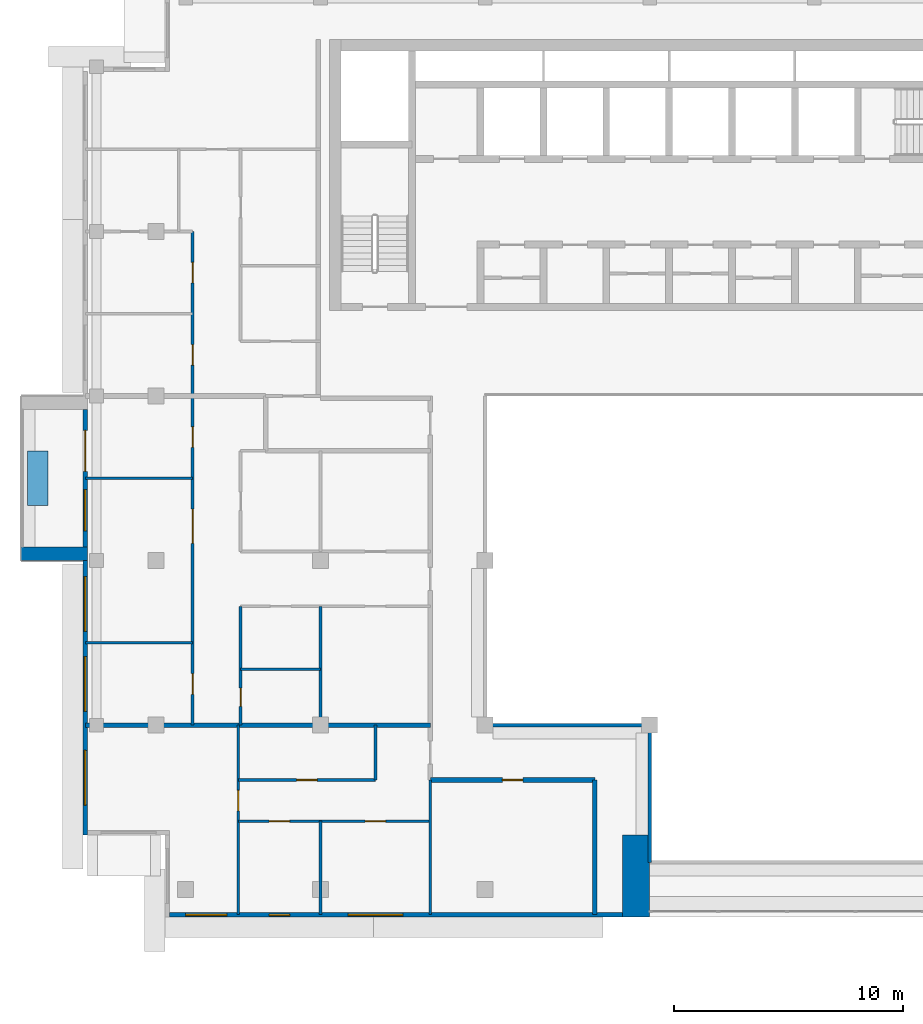
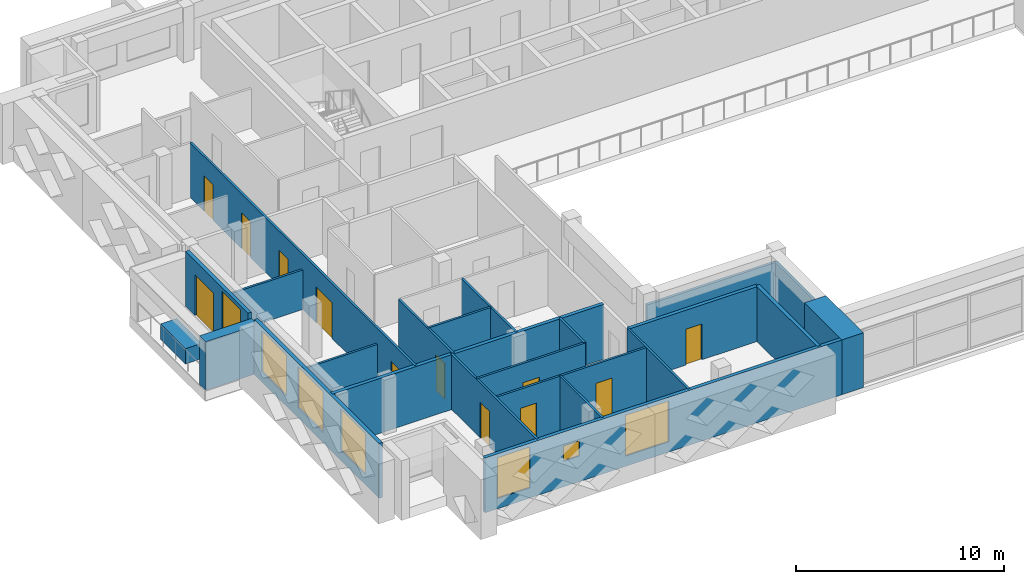
# One storey, part 6 of 19: 23 walls, 12 doors, 7 windows, 19 openings.
"""IFC4 building model written with IfcOpenShell, lengths in metres."""

from ifc_helpers import new_model, si_unit, direction, frame, frame_2d, origin, place, context, subcontext, project, spatial, rectangle, extrude, material, layer, layer_set, type_object, element, fill, save


model = new_model("IFC4")

# Units and contexts
model_context = context("Model", 3, precision=1e-05, world=origin(), true_north=direction((0.0, 1.0)))
body_context = subcontext(model_context, "Body", "Model", "MODEL_VIEW")
ifc_project = project(units=[si_unit("LENGTHUNIT", "METRE"), si_unit("AREAUNIT", "SQUARE_METRE"), si_unit("VOLUMEUNIT", "CUBIC_METRE"), si_unit("PLANEANGLEUNIT", "RADIAN"), si_unit("MASSUNIT", "GRAM", prefix="KILO")], contexts=[model_context])

# Site, building, storey
site_placement = place(None, origin())
site = spatial("IfcSite", under=ifc_project, at=site_placement, CompositionType="ELEMENT")
building_placement = place(site_placement, origin())
building = spatial("IfcBuilding", under=site, at=building_placement, Name="Saffron Iwan Residences", CompositionType="ELEMENT")
storey_placement = place(building_placement, frame((0.0, 0.0, 264.0)))
storey = spatial("IfcBuildingStorey", under=building, at=storey_placement, Name="L71", CompositionType="ELEMENT", Elevation=264.0)

# Walls
ifc_material_1 = material(Name="Fire-rated glazing", Category="glass")
ifc_layer_1 = layer(ifc_material_1, 0.14990234375)
ifc_layer_set_1 = layer_set([ifc_layer_1], Name="Fire-rated glazing")
wall_type_1 = type_object("IfcWallType", Name="Atrium glazed screen 150", PredefinedType="SOLIDWALL", material=ifc_layer_set_1)
wall_1_placement = place(storey_placement, frame((36.0, 48.0, 0.0), z_axis=(0.0, 0.0, 1.0), x_axis=(1.0, 0.0, 0.0)))
element("IfcWall", 1, at=wall_1_placement, inside=storey, type_object=wall_type_1, Name="W-L71-SCREEN-h48-36", PredefinedType="SOLIDWALL", context=body_context, shape_type="SweptSolid", body=[
    extrude(rectangle(XDim=7.199951171875, YDim=0.14990234375, at=frame_2d((3.60009765625, 0.0))), origin(), (0.0, 0.0, 1.0), 2.320068359375),
])
wall_2_placement = place(storey_placement, frame((43.199951171875, 42.0, 0.0), z_axis=(0.0, 0.0, 1.0), x_axis=(0.0, 1.0, 0.0)))
element("IfcWall", 2, at=wall_2_placement, inside=storey, type_object=wall_type_1, Name="W-L71-SCREEN-v43.2-42", PredefinedType="SOLIDWALL", context=body_context, shape_type="SweptSolid", body=[
    extrude(rectangle(XDim=6.0, YDim=0.14990234375, at=frame_2d((3.0, 0.0))), origin(), (0.0, 0.0, 1.0), 2.320068359375),
])
ifc_material_2 = material(Name="Concrete C50/60 white painted", Category="concrete")
ifc_layer_2 = layer(ifc_material_2, 0.60009765625)
ifc_layer_set_2 = layer_set([ifc_layer_2], Name="Concrete C50/60 white painted")
wall_type_2 = type_object("IfcWallType", Name="BALCONY FIN 600", PredefinedType="SOLIDWALL", material=ifc_layer_set_2)
wall_3_placement = place(storey_placement, frame((18.60009765625, 55.5, 0.0), z_axis=(0.0, 0.0, 1.0), x_axis=(-1.0, 0.0, 0.0)))
element("IfcWall", 3, at=wall_3_placement, inside=storey, type_object=wall_type_2, Name="Balcony fin L71 F8-0b", PredefinedType="SOLIDWALL", context=body_context, shape_type="SweptSolid", body=[
    extrude(rectangle(XDim=2.900146484375, YDim=0.60009765625, at=frame_2d((1.4501953125, 0.0))), origin(), (0.0, 0.0, 1.0), 2.85009765625),
])
ifc_material_3 = material(Name="Concrete C35/45 white painted", Category="concrete")
ifc_layer_3 = layer(ifc_material_3, 0.14990234375)
ifc_layer_set_3 = layer_set([ifc_layer_3], Name="Concrete C35/45 white painted")
wall_type_3 = type_object("IfcWallType", Name="BALCONY PLANTER", PredefinedType="SOLIDWALL", material=ifc_layer_set_3)
wall_4_placement = place(storey_placement, frame((16.425048828125, 60.0, 0.0), z_axis=(0.0, 0.0, 1.0), x_axis=(0.0, -1.0, 0.0)))
element("IfcWall", 4, at=wall_4_placement, inside=storey, type_object=wall_type_3, Name="PLANTER L71 F8-0", PredefinedType="SOLIDWALL", context=body_context, shape_type="SweptSolid", body=[
    extrude(rectangle(XDim=2.39990234375, YDim=0.89990234375, at=frame_2d((1.199951171875, 0.0))), origin(), (0.0, 0.0, 1.0), 0.89990234375),
])

# Wall, openings, door, window
ifc_material_4 = material(Name="Concrete C40/50", Category="concrete")
ifc_layer_4 = layer(ifc_material_4, 0.199951171875)
ifc_layer_set_4 = layer_set([ifc_layer_4], Name="Concrete C40/50")
wall_type_4 = type_object("IfcWallType", Name="EXTERNAL WALL 200", PredefinedType="SOLIDWALL", material=ifc_layer_set_4)
wall_5_placement = place(storey_placement, frame((18.5, 61.800048828125, 0.0), z_axis=(0.0, 0.0, 1.0), x_axis=(0.0, -1.0, 0.0)))
wall_5 = element("IfcWall", 5, at=wall_5_placement, inside=storey, type_object=wall_type_4, Name="External wall L71 F8.1", PredefinedType="SOLIDWALL", context=body_context, shape_type="SweptSolid", body=[
    extrude(rectangle(XDim=6.0, YDim=0.199951171875, at=frame_2d((3.0, 0.0))), origin(), (0.0, 0.0, 1.0), 3.219970703125),
])
opening_1_placement = place(wall_5_placement, frame((0.89990234375, 0.0, 0.0)))
opening_1 = element("IfcOpeningElement", 6, at=opening_1_placement, cuts=wall_5, Name="Opening BD1", PredefinedType="OPENING", context=body_context, shape_type="SweptSolid", body=[
    extrude(rectangle(XDim=1.800048828125, YDim=2.39990234375, at=frame_2d((0.89990234375, 1.199951171875))), frame((0.0, 0.10986328125, 0.0), z_axis=(0.0, -1.0, 0.0), x_axis=(1.0, 0.0, 0.0)), (0.0, 0.0, 1.0), 0.219970703125),
])
opening_2_placement = place(wall_5_placement, frame((3.5, 0.0, 0.60009765625)))
opening_2 = element("IfcOpeningElement", 7, at=opening_2_placement, cuts=wall_5, Name="Opening W8", PredefinedType="OPENING", context=body_context, shape_type="SweptSolid", body=[
    extrude(rectangle(XDim=1.800048828125, YDim=2.39990234375, at=frame_2d((0.89990234375, 1.199951171875))), frame((0.0, 0.10986328125, 0.0), z_axis=(0.0, -1.0, 0.0), x_axis=(1.0, 0.0, 0.0)), (0.0, 0.0, 1.0), 0.219970703125),
])
ifc_material_5 = material(Name="Clear glass, laminated double glazed", Category="glass")
door_type_1 = type_object("IfcDoorType", Name="BALCONY DOOR 1800 x 2400", OperationType="DOUBLE_DOOR_SLIDING", PredefinedType="DOOR", material=ifc_material_5)
door_1_placement = place(opening_1_placement, origin())
door_1 = element("IfcDoor", 8, at=door_1_placement, inside=storey, type_object=door_type_1, Name="Balcony door L71 F8.0", OperationType="DOUBLE_DOOR_SLIDING", OverallHeight=2.39990234375, OverallWidth=1.800048828125, PredefinedType="DOOR", context=body_context, shape_type="SweptSolid", body=[
    extrude(rectangle(XDim=1.800048828125, YDim=2.39990234375, at=frame_2d((0.89990234375, 1.199951171875))), frame((0.0, 0.02490234375, 0.0), z_axis=(0.0, -1.0, 0.0), x_axis=(1.0, 0.0, 0.0)), (0.0, 0.0, 1.0), 0.050048828125),
])
fill(opening_1, door_1)
window_type_1 = type_object("IfcWindowType", Name="WINDOW 1800 x 2400", PartitioningType="DOUBLE_PANEL_VERTICAL", PredefinedType="WINDOW", material=ifc_material_5)
window_1_placement = place(opening_2_placement, origin())
window_1 = element("IfcWindow", 9, at=window_1_placement, inside=storey, type_object=window_type_1, Name="Window L71 F8.1", OverallHeight=2.39990234375, OverallWidth=1.800048828125, PartitioningType="DOUBLE_PANEL_VERTICAL", PredefinedType="WINDOW", context=body_context, shape_type="SweptSolid", body=[
    extrude(rectangle(XDim=1.800048828125, YDim=2.39990234375, at=frame_2d((0.89990234375, 1.199951171875))), frame((0.0, 0.030029296875, 0.0), z_axis=(0.0, -1.0, 0.0), x_axis=(1.0, 0.0, 0.0)), (0.0, 0.0, 1.0), 0.06005859375),
])
fill(opening_2, window_1)

# Wall, openings, windows
wall_6_placement = place(storey_placement, frame((18.5, 55.199951171875, 0.0), z_axis=(0.0, 0.0, 1.0), x_axis=(0.0, -1.0, 0.0)))
wall_6 = element("IfcWall", 10, at=wall_6_placement, inside=storey, type_object=wall_type_4, Name="External wall L71 F8.2", PredefinedType="SOLIDWALL", context=body_context, shape_type="SweptSolid", body=[
    extrude(rectangle(XDim=12.0, YDim=0.199951171875, at=frame_2d((6.0, 0.0))), origin(), (0.0, 0.0, 1.0), 3.219970703125),
])
opening_3_placement = place(wall_6_placement, frame((8.300048828125, 0.0, 0.60009765625)))
opening_3 = element("IfcOpeningElement", 11, at=opening_3_placement, cuts=wall_6, Name="Opening W1", PredefinedType="OPENING", context=body_context, shape_type="SweptSolid", body=[
    extrude(rectangle(XDim=2.39990234375, YDim=2.39990234375, at=frame_2d((1.199951171875, 1.199951171875))), frame((0.0, 0.10986328125, 0.0), z_axis=(0.0, -1.0, 0.0), x_axis=(1.0, 0.0, 0.0)), (0.0, 0.0, 1.0), 0.219970703125),
])
opening_4_placement = place(wall_6_placement, frame((4.199951171875, 0.0, 0.60009765625)))
opening_4 = element("IfcOpeningElement", 12, at=opening_4_placement, cuts=wall_6, Name="Opening W1", PredefinedType="OPENING", context=body_context, shape_type="SweptSolid", body=[
    extrude(rectangle(XDim=2.39990234375, YDim=2.39990234375, at=frame_2d((1.199951171875, 1.199951171875))), frame((0.0, 0.10986328125, 0.0), z_axis=(0.0, -1.0, 0.0), x_axis=(1.0, 0.0, 0.0)), (0.0, 0.0, 1.0), 0.219970703125),
])
opening_5_placement = place(wall_6_placement, frame((0.699951171875, 0.0, 0.60009765625)))
opening_5 = element("IfcOpeningElement", 13, at=opening_5_placement, cuts=wall_6, Name="Opening W1", PredefinedType="OPENING", context=body_context, shape_type="SweptSolid", body=[
    extrude(rectangle(XDim=2.39990234375, YDim=2.39990234375, at=frame_2d((1.199951171875, 1.199951171875))), frame((0.0, 0.10986328125, 0.0), z_axis=(0.0, -1.0, 0.0), x_axis=(1.0, 0.0, 0.0)), (0.0, 0.0, 1.0), 0.219970703125),
])
window_type_2 = type_object("IfcWindowType", Name="WINDOW 2400 x 2400", PartitioningType="DOUBLE_PANEL_VERTICAL", PredefinedType="WINDOW", material=ifc_material_5)
window_2_placement = place(opening_3_placement, origin())
window_2 = element("IfcWindow", 14, at=window_2_placement, inside=storey, type_object=window_type_2, Name="Window L71 F8.0", OverallHeight=2.39990234375, OverallWidth=2.39990234375, PartitioningType="DOUBLE_PANEL_VERTICAL", PredefinedType="WINDOW", context=body_context, shape_type="SweptSolid", body=[
    extrude(rectangle(XDim=2.39990234375, YDim=2.39990234375, at=frame_2d((1.199951171875, 1.199951171875))), frame((0.0, 0.030029296875, 0.0), z_axis=(0.0, -1.0, 0.0), x_axis=(1.0, 0.0, 0.0)), (0.0, 0.0, 1.0), 0.06005859375),
])
fill(opening_3, window_2)
window_3_placement = place(opening_4_placement, origin())
window_3 = element("IfcWindow", 15, at=window_3_placement, inside=storey, type_object=window_type_2, Name="Window L71 F8.1", OverallHeight=2.39990234375, OverallWidth=2.39990234375, PartitioningType="DOUBLE_PANEL_VERTICAL", PredefinedType="WINDOW", context=body_context, shape_type="SweptSolid", body=[
    extrude(rectangle(XDim=2.39990234375, YDim=2.39990234375, at=frame_2d((1.199951171875, 1.199951171875))), frame((0.0, 0.030029296875, 0.0), z_axis=(0.0, -1.0, 0.0), x_axis=(1.0, 0.0, 0.0)), (0.0, 0.0, 1.0), 0.06005859375),
])
fill(opening_4, window_3)
window_4_placement = place(opening_5_placement, origin())
window_4 = element("IfcWindow", 16, at=window_4_placement, inside=storey, type_object=window_type_2, Name="Window L71 F8.2", OverallHeight=2.39990234375, OverallWidth=2.39990234375, PartitioningType="DOUBLE_PANEL_VERTICAL", PredefinedType="WINDOW", context=body_context, shape_type="SweptSolid", body=[
    extrude(rectangle(XDim=2.39990234375, YDim=2.39990234375, at=frame_2d((1.199951171875, 1.199951171875))), frame((0.0, 0.030029296875, 0.0), z_axis=(0.0, -1.0, 0.0), x_axis=(1.0, 0.0, 0.0)), (0.0, 0.0, 1.0), 0.06005859375),
])
fill(opening_5, window_4)

wall_7_placement = place(storey_placement, frame((22.199951171875, 39.699951171875, 0.0), z_axis=(0.0, 0.0, 1.0), x_axis=(1.0, 0.0, 0.0)))
wall_7 = element("IfcWall", 17, at=wall_7_placement, inside=storey, type_object=wall_type_4, Name="External wall L71 F11.0", PredefinedType="SOLIDWALL", context=body_context, shape_type="SweptSolid", body=[
    extrude(rectangle(XDim=19.800048828125, YDim=0.199951171875, at=frame_2d((9.89990234375, 0.0))), origin(), (0.0, 0.0, 1.0), 3.219970703125),
])
opening_6_placement = place(wall_7_placement, frame((0.699951171875, 0.0, 0.60009765625)))
opening_6 = element("IfcOpeningElement", 18, at=opening_6_placement, cuts=wall_7, Name="Opening W8", PredefinedType="OPENING", context=body_context, shape_type="SweptSolid", body=[
    extrude(rectangle(XDim=1.800048828125, YDim=2.39990234375, at=frame_2d((0.89990234375, 1.199951171875))), frame((0.0, 0.10986328125, 0.0), z_axis=(0.0, -1.0, 0.0), x_axis=(1.0, 0.0, 0.0)), (0.0, 0.0, 1.0), 0.219970703125),
])
opening_7_placement = place(wall_7_placement, frame((4.35009765625, 0.0, 1.5)))
opening_7 = element("IfcOpeningElement", 19, at=opening_7_placement, cuts=wall_7, Name="Opening W6", PredefinedType="OPENING", context=body_context, shape_type="SweptSolid", body=[
    extrude(rectangle(XDim=0.89990234375, YDim=0.89990234375, at=frame_2d((0.449951171875, 0.449951171875))), frame((0.0, 0.10986328125, 0.0), z_axis=(0.0, -1.0, 0.0), x_axis=(1.0, 0.0, 0.0)), (0.0, 0.0, 1.0), 0.219970703125),
])
opening_8_placement = place(wall_7_placement, frame((7.800048828125, 0.0, 0.60009765625)))
opening_8 = element("IfcOpeningElement", 20, at=opening_8_placement, cuts=wall_7, Name="Opening W1", PredefinedType="OPENING", context=body_context, shape_type="SweptSolid", body=[
    extrude(rectangle(XDim=2.39990234375, YDim=2.39990234375, at=frame_2d((1.199951171875, 1.199951171875))), frame((0.0, 0.10986328125, 0.0), z_axis=(0.0, -1.0, 0.0), x_axis=(1.0, 0.0, 0.0)), (0.0, 0.0, 1.0), 0.219970703125),
])
window_5_placement = place(opening_6_placement, origin())
window_5 = element("IfcWindow", 21, at=window_5_placement, inside=storey, type_object=window_type_1, Name="Window L71 F11.0", OverallHeight=2.39990234375, OverallWidth=1.800048828125, PartitioningType="DOUBLE_PANEL_VERTICAL", PredefinedType="WINDOW", context=body_context, shape_type="SweptSolid", body=[
    extrude(rectangle(XDim=1.800048828125, YDim=2.39990234375, at=frame_2d((0.89990234375, 1.199951171875))), frame((0.0, 0.030029296875, 0.0), z_axis=(0.0, -1.0, 0.0), x_axis=(1.0, 0.0, 0.0)), (0.0, 0.0, 1.0), 0.06005859375),
])
fill(opening_6, window_5)
window_6_placement = place(opening_8_placement, origin())
window_6 = element("IfcWindow", 22, at=window_6_placement, inside=storey, type_object=window_type_2, Name="Window L71 F11.2", OverallHeight=2.39990234375, OverallWidth=2.39990234375, PartitioningType="DOUBLE_PANEL_VERTICAL", PredefinedType="WINDOW", context=body_context, shape_type="SweptSolid", body=[
    extrude(rectangle(XDim=2.39990234375, YDim=2.39990234375, at=frame_2d((1.199951171875, 1.199951171875))), frame((0.0, 0.030029296875, 0.0), z_axis=(0.0, -1.0, 0.0), x_axis=(1.0, 0.0, 0.0)), (0.0, 0.0, 1.0), 0.06005859375),
])
fill(opening_8, window_6)
window_type_3 = type_object("IfcWindowType", Name="WINDOW 900 x 900 BATH", PartitioningType="SINGLE_PANEL", PredefinedType="WINDOW", material=ifc_material_5)
window_7_placement = place(opening_7_placement, origin())
window_7 = element("IfcWindow", 23, at=window_7_placement, inside=storey, type_object=window_type_3, Name="Window L71 F11.1", OverallHeight=0.89990234375, OverallWidth=0.89990234375, PartitioningType="SINGLE_PANEL", PredefinedType="WINDOW", context=body_context, shape_type="SweptSolid", body=[
    extrude(rectangle(XDim=0.89990234375, YDim=0.89990234375, at=frame_2d((0.449951171875, 0.449951171875))), frame((0.0, 0.030029296875, 0.0), z_axis=(0.0, -1.0, 0.0), x_axis=(1.0, 0.0, 0.0)), (0.0, 0.0, 1.0), 0.06005859375),
])
fill(opening_7, window_7)

# Wall
ifc_material_6 = material(Name="Fire-rated gypsum board wall")
ifc_layer_5 = layer(ifc_material_6, 0.199951171875)
ifc_layer_set_5 = layer_set([ifc_layer_5], Name="Fire-rated gypsum board wall")
wall_type_5 = type_object("IfcWallType", Name="Flat demising wall 200", PredefinedType="SOLIDWALL", material=ifc_layer_set_5)
wall_8_placement = place(storey_placement, frame((18.52490234375, 48.0, 0.0), z_axis=(0.0, 0.0, 1.0), x_axis=(1.0, 0.0, 0.0)))
element("IfcWall", 24, at=wall_8_placement, inside=storey, type_object=wall_type_5, Name="W-L71-DEMISE-h48-18.525", PredefinedType="SOLIDWALL", context=body_context, shape_type="SweptSolid", body=[
    extrude(rectangle(XDim=15.0751953125, YDim=0.199951171875, at=frame_2d((7.53759765625, 0.0))), origin(), (0.0, 0.0, 1.0), 3.219970703125),
])

# Wall, openings, doors
ifc_material_7 = material(Name="Gypsum board partition")
ifc_layer_6 = layer(ifc_material_7, 0.1201171875)
ifc_layer_set_6 = layer_set([ifc_layer_6], Name="Gypsum board partition")
wall_type_6 = type_object("IfcWallType", Name="Flat partition 120", PredefinedType="PARTITIONING", material=ifc_layer_set_6)
wall_9_placement = place(storey_placement, frame((25.199951171875, 43.800048828125, 0.0), z_axis=(0.0, 0.0, 1.0), x_axis=(1.0, 0.0, 0.0)))
wall_9 = element("IfcWall", 25, at=wall_9_placement, inside=storey, type_object=wall_type_6, Name="W-L71-PART-h43.8-25.2", PredefinedType="PARTITIONING", context=body_context, shape_type="SweptSolid", body=[
    extrude(rectangle(XDim=8.400146484375, YDim=0.1201171875, at=frame_2d((4.2001953125, 0.0))), origin(), (0.0, 0.0, 1.0), 3.219970703125),
])
opening_9_placement = place(wall_9_placement, frame((1.35009765625, 0.0, 0.0)))
opening_9 = element("IfcOpeningElement", 26, at=opening_9_placement, cuts=wall_9, Name="Opening FD2", PredefinedType="OPENING", context=body_context, shape_type="SweptSolid", body=[
    extrude(rectangle(XDim=0.89990234375, YDim=2.10009765625, at=frame_2d((0.449951171875, 1.050048828125))), frame((0.0, 0.070068359375, 0.0), z_axis=(0.0, -1.0, 0.0), x_axis=(1.0, 0.0, 0.0)), (0.0, 0.0, 1.0), 0.14013671875),
])
opening_10_placement = place(wall_9_placement, frame((5.550048828125, 0.0, 0.0)))
opening_10 = element("IfcOpeningElement", 27, at=opening_10_placement, cuts=wall_9, Name="Opening FD2", PredefinedType="OPENING", context=body_context, shape_type="SweptSolid", body=[
    extrude(rectangle(XDim=0.89990234375, YDim=2.10009765625, at=frame_2d((0.449951171875, 1.050048828125))), frame((0.0, 0.070068359375, 0.0), z_axis=(0.0, -1.0, 0.0), x_axis=(1.0, 0.0, 0.0)), (0.0, 0.0, 1.0), 0.14013671875),
])
ifc_material_8 = material(Name="Timber door", Category="wood")
door_type_2 = type_object("IfcDoorType", Name="Flat door 900", OperationType="NOTDEFINED", PredefinedType="DOOR", material=ifc_material_8)
door_2_placement = place(opening_9_placement, origin())
door_2 = element("IfcDoor", 28, at=door_2_placement, inside=storey, type_object=door_type_2, Name="Door L71-003", OperationType="SINGLE_SWING_LEFT", OverallHeight=2.10009765625, OverallWidth=0.89990234375, PredefinedType="DOOR", context=body_context, shape_type="SweptSolid", body=[
    extrude(rectangle(XDim=0.89990234375, YDim=2.10009765625, at=frame_2d((0.449951171875, 1.050048828125))), frame((0.0, 0.02490234375, 0.0), z_axis=(0.0, -1.0, 0.0), x_axis=(1.0, 0.0, 0.0)), (0.0, 0.0, 1.0), 0.050048828125),
])
fill(opening_9, door_2)
door_3_placement = place(opening_10_placement, origin())
door_3 = element("IfcDoor", 29, at=door_3_placement, inside=storey, type_object=door_type_2, Name="Door L71-004", OperationType="SINGLE_SWING_LEFT", OverallHeight=2.10009765625, OverallWidth=0.89990234375, PredefinedType="DOOR", context=body_context, shape_type="SweptSolid", body=[
    extrude(rectangle(XDim=0.89990234375, YDim=2.10009765625, at=frame_2d((0.449951171875, 1.050048828125))), frame((0.0, 0.02490234375, 0.0), z_axis=(0.0, -1.0, 0.0), x_axis=(1.0, 0.0, 0.0)), (0.0, 0.0, 1.0), 0.050048828125),
])
fill(opening_10, door_3)

# Wall, opening, door
wall_10_placement = place(storey_placement, frame((25.199951171875, 45.60009765625, 0.0), z_axis=(0.0, 0.0, 1.0), x_axis=(1.0, 0.0, 0.0)))
wall_10 = element("IfcWall", 30, at=wall_10_placement, inside=storey, type_object=wall_type_6, Name="W-L71-PART-h45.6-25.2", PredefinedType="PARTITIONING", context=body_context, shape_type="SweptSolid", body=[
    extrude(rectangle(XDim=6.0, YDim=0.1201171875, at=frame_2d((3.0, 0.0))), origin(), (0.0, 0.0, 1.0), 3.219970703125),
])
opening_11_placement = place(wall_10_placement, frame((2.550048828125, 0.0, 0.0)))
opening_11 = element("IfcOpeningElement", 31, at=opening_11_placement, cuts=wall_10, Name="Opening FD2", PredefinedType="OPENING", context=body_context, shape_type="SweptSolid", body=[
    extrude(rectangle(XDim=0.89990234375, YDim=2.10009765625, at=frame_2d((0.449951171875, 1.050048828125))), frame((0.0, 0.070068359375, 0.0), z_axis=(0.0, -1.0, 0.0), x_axis=(1.0, 0.0, 0.0)), (0.0, 0.0, 1.0), 0.14013671875),
])
door_4_placement = place(opening_11_placement, origin())
door_4 = element("IfcDoor", 32, at=door_4_placement, inside=storey, type_object=door_type_2, Name="Door L71-005", OperationType="SINGLE_SWING_RIGHT", OverallHeight=2.10009765625, OverallWidth=0.89990234375, PredefinedType="DOOR", context=body_context, shape_type="SweptSolid", body=[
    extrude(rectangle(XDim=0.89990234375, YDim=2.10009765625, at=frame_2d((0.449951171875, 1.050048828125))), frame((0.0, 0.02490234375, 0.0), z_axis=(0.0, -1.0, 0.0), x_axis=(1.0, 0.0, 0.0)), (0.0, 0.0, 1.0), 0.050048828125),
])
fill(opening_11, door_4)

# Walls
wall_11_placement = place(storey_placement, frame((25.300048828125, 50.449951171875, 0.0), z_axis=(0.0, 0.0, 1.0), x_axis=(1.0, 0.0, 0.0)))
element("IfcWall", 33, at=wall_11_placement, inside=storey, type_object=wall_type_6, Name="W-L71-PART-h50.45-25.3", PredefinedType="PARTITIONING", context=body_context, shape_type="SweptSolid", body=[
    extrude(rectangle(XDim=3.5, YDim=0.1201171875, at=frame_2d((1.75, 0.0))), origin(), (0.0, 0.0, 1.0), 3.219970703125),
])
for number, where, z_axis, x_axis, name in (
    (34, (18.52490234375, 51.60009765625, 0.0), (0.0, 0.0, 1.0), (1.0, 0.0, 0.0), "W-L71-PART-h51.6-18.525"),
    (35, (18.52490234375, 58.800048828125, 0.0), (0.0, 0.0, 1.0), (1.0, 0.0, 0.0), "W-L71-PART-h58.8-18.525"),
):
    element("IfcWall", number, at=place(storey_placement, frame(where, z_axis=z_axis, x_axis=x_axis)), inside=storey, type_object=wall_type_6, Name=name, PredefinedType="PARTITIONING", context=body_context, shape_type="SweptSolid", body=[
        extrude(rectangle(XDim=4.675048828125, YDim=0.1201171875, at=frame_2d((2.33740234375, 0.0))), origin(), (0.0, 0.0, 1.0), 2.320068359375),
    ])

# Wall, openings, doors
wall_12_placement = place(storey_placement, frame((23.199951171875, 48.0, 0.0), z_axis=(0.0, 0.0, 1.0), x_axis=(0.0, 1.0, 0.0)))
wall_12 = element("IfcWall", 36, at=wall_12_placement, inside=storey, type_object=wall_type_6, Name="W-L71-PART-v23.2-48", PredefinedType="PARTITIONING", context=body_context, shape_type="SweptSolid", body=[
    extrude(rectangle(XDim=21.60009765625, YDim=0.1201171875, at=frame_2d((10.800048828125, 0.0))), origin(), (0.0, 0.0, 1.0), 3.219970703125),
])
opening_12_placement = place(wall_12_placement, frame((1.35009765625, 0.0, 0.0)))
opening_12 = element("IfcOpeningElement", 37, at=opening_12_placement, cuts=wall_12, Name="Opening FD2", PredefinedType="OPENING", context=body_context, shape_type="SweptSolid", body=[
    extrude(rectangle(XDim=0.89990234375, YDim=2.10009765625, at=frame_2d((0.449951171875, 1.050048828125))), frame((0.0, 0.070068359375, 0.0), z_axis=(0.0, -1.0, 0.0), x_axis=(1.0, 0.0, 0.0)), (0.0, 0.0, 1.0), 0.14013671875),
])
opening_13_placement = place(wall_12_placement, frame((7.949951171875, 0.0, 0.0)))
opening_13 = element("IfcOpeningElement", 38, at=opening_13_placement, cuts=wall_12, Name="Opening FD4", PredefinedType="OPENING", context=body_context, shape_type="SweptSolid", body=[
    extrude(rectangle(XDim=1.5, YDim=2.10009765625, at=frame_2d((0.75, 1.050048828125))), frame((0.0, 0.070068359375, 0.0), z_axis=(0.0, -1.0, 0.0), x_axis=(1.0, 0.0, 0.0)), (0.0, 0.0, 1.0), 0.14013671875),
])
opening_14_placement = place(wall_12_placement, frame((12.14990234375, 0.0, 0.0)))
opening_14 = element("IfcOpeningElement", 39, at=opening_14_placement, cuts=wall_12, Name="Opening FD2", PredefinedType="OPENING", context=body_context, shape_type="SweptSolid", body=[
    extrude(rectangle(XDim=0.89990234375, YDim=2.10009765625, at=frame_2d((0.449951171875, 1.050048828125))), frame((0.0, 0.070068359375, 0.0), z_axis=(0.0, -1.0, 0.0), x_axis=(1.0, 0.0, 0.0)), (0.0, 0.0, 1.0), 0.14013671875),
])
opening_15_placement = place(wall_12_placement, frame((15.75, 0.0, 0.0)))
opening_15 = element("IfcOpeningElement", 40, at=opening_15_placement, cuts=wall_12, Name="Opening FD2", PredefinedType="OPENING", context=body_context, shape_type="SweptSolid", body=[
    extrude(rectangle(XDim=0.89990234375, YDim=2.10009765625, at=frame_2d((0.449951171875, 1.050048828125))), frame((0.0, 0.070068359375, 0.0), z_axis=(0.0, -1.0, 0.0), x_axis=(1.0, 0.0, 0.0)), (0.0, 0.0, 1.0), 0.14013671875),
])
opening_16_placement = place(wall_12_placement, frame((19.35009765625, 0.0, 0.0)))
opening_16 = element("IfcOpeningElement", 41, at=opening_16_placement, cuts=wall_12, Name="Opening FD2", PredefinedType="OPENING", context=body_context, shape_type="SweptSolid", body=[
    extrude(rectangle(XDim=0.89990234375, YDim=2.10009765625, at=frame_2d((0.449951171875, 1.050048828125))), frame((0.0, 0.070068359375, 0.0), z_axis=(0.0, -1.0, 0.0), x_axis=(1.0, 0.0, 0.0)), (0.0, 0.0, 1.0), 0.14013671875),
])
door_type_3 = type_object("IfcDoorType", Name="Double door 1500", OperationType="NOTDEFINED", PredefinedType="DOOR", material=ifc_material_8)
door_5_placement = place(opening_13_placement, origin())
door_5 = element("IfcDoor", 42, at=door_5_placement, inside=storey, type_object=door_type_3, Name="Door L71-009", OperationType="SINGLE_SWING_RIGHT", OverallHeight=2.10009765625, OverallWidth=1.5, PredefinedType="DOOR", context=body_context, shape_type="SweptSolid", body=[
    extrude(rectangle(XDim=1.5, YDim=2.10009765625, at=frame_2d((0.75, 1.050048828125))), frame((0.0, 0.02490234375, 0.0), z_axis=(0.0, -1.0, 0.0), x_axis=(1.0, 0.0, 0.0)), (0.0, 0.0, 1.0), 0.050048828125),
])
fill(opening_13, door_5)
door_6_placement = place(opening_12_placement, origin())
door_6 = element("IfcDoor", 43, at=door_6_placement, inside=storey, type_object=door_type_2, Name="Door L71-008", OperationType="SINGLE_SWING_RIGHT", OverallHeight=2.10009765625, OverallWidth=0.89990234375, PredefinedType="DOOR", context=body_context, shape_type="SweptSolid", body=[
    extrude(rectangle(XDim=0.89990234375, YDim=2.10009765625, at=frame_2d((0.449951171875, 1.050048828125))), frame((0.0, 0.02490234375, 0.0), z_axis=(0.0, -1.0, 0.0), x_axis=(1.0, 0.0, 0.0)), (0.0, 0.0, 1.0), 0.050048828125),
])
fill(opening_12, door_6)
door_7_placement = place(opening_14_placement, origin())
door_7 = element("IfcDoor", 44, at=door_7_placement, inside=storey, type_object=door_type_2, Name="Door L71-010", OperationType="SINGLE_SWING_LEFT", OverallHeight=2.10009765625, OverallWidth=0.89990234375, PredefinedType="DOOR", context=body_context, shape_type="SweptSolid", body=[
    extrude(rectangle(XDim=0.89990234375, YDim=2.10009765625, at=frame_2d((0.449951171875, 1.050048828125))), frame((0.0, 0.02490234375, 0.0), z_axis=(0.0, -1.0, 0.0), x_axis=(1.0, 0.0, 0.0)), (0.0, 0.0, 1.0), 0.050048828125),
])
fill(opening_14, door_7)
door_8_placement = place(opening_15_placement, origin())
door_8 = element("IfcDoor", 45, at=door_8_placement, inside=storey, type_object=door_type_2, Name="Door L71-027", OperationType="SINGLE_SWING_LEFT", OverallHeight=2.10009765625, OverallWidth=0.89990234375, PredefinedType="DOOR", context=body_context, shape_type="SweptSolid", body=[
    extrude(rectangle(XDim=0.89990234375, YDim=2.10009765625, at=frame_2d((0.449951171875, 1.050048828125))), frame((0.0, 0.02490234375, 0.0), z_axis=(0.0, -1.0, 0.0), x_axis=(1.0, 0.0, 0.0)), (0.0, 0.0, 1.0), 0.050048828125),
])
fill(opening_15, door_8)
door_9_placement = place(opening_16_placement, origin())
door_9 = element("IfcDoor", 46, at=door_9_placement, inside=storey, type_object=door_type_2, Name="Door L71-028", OperationType="SINGLE_SWING_LEFT", OverallHeight=2.10009765625, OverallWidth=0.89990234375, PredefinedType="DOOR", context=body_context, shape_type="SweptSolid", body=[
    extrude(rectangle(XDim=0.89990234375, YDim=2.10009765625, at=frame_2d((0.449951171875, 1.050048828125))), frame((0.0, 0.02490234375, 0.0), z_axis=(0.0, -1.0, 0.0), x_axis=(1.0, 0.0, 0.0)), (0.0, 0.0, 1.0), 0.050048828125),
])
fill(opening_16, door_9)

# Wall, opening, door
wall_13_placement = place(storey_placement, frame((25.199951171875, 39.72509765625, 0.0), z_axis=(0.0, 0.0, 1.0), x_axis=(0.0, 1.0, 0.0)))
wall_13 = element("IfcWall", 47, at=wall_13_placement, inside=storey, type_object=wall_type_6, Name="W-L71-PART-v25.2-39.725", PredefinedType="PARTITIONING", context=body_context, shape_type="SweptSolid", body=[
    extrude(rectangle(XDim=8.27490234375, YDim=0.1201171875, at=frame_2d((4.137451171875, 0.0))), origin(), (0.0, 0.0, 1.0), 3.219970703125),
])
opening_17_placement = place(wall_13_placement, frame((4.52490234375, 0.0, 0.0)))
opening_17 = element("IfcOpeningElement", 48, at=opening_17_placement, cuts=wall_13, Name="Opening FD2", PredefinedType="OPENING", context=body_context, shape_type="SweptSolid", body=[
    extrude(rectangle(XDim=0.89990234375, YDim=2.10009765625, at=frame_2d((0.449951171875, 1.050048828125))), frame((0.0, 0.070068359375, 0.0), z_axis=(0.0, -1.0, 0.0), x_axis=(1.0, 0.0, 0.0)), (0.0, 0.0, 1.0), 0.14013671875),
])
door_10_placement = place(opening_17_placement, origin())
door_10 = element("IfcDoor", 49, at=door_10_placement, inside=storey, type_object=door_type_2, Name="Door L71-002", OperationType="SINGLE_SWING_RIGHT", OverallHeight=2.10009765625, OverallWidth=0.89990234375, PredefinedType="DOOR", context=body_context, shape_type="SweptSolid", body=[
    extrude(rectangle(XDim=0.89990234375, YDim=2.10009765625, at=frame_2d((0.449951171875, 1.050048828125))), frame((0.0, 0.02490234375, 0.0), z_axis=(0.0, -1.0, 0.0), x_axis=(1.0, 0.0, 0.0)), (0.0, 0.0, 1.0), 0.050048828125),
])
fill(opening_17, door_10)

wall_14_placement = place(storey_placement, frame((25.300048828125, 48.0, 0.0), z_axis=(0.0, 0.0, 1.0), x_axis=(0.0, 1.0, 0.0)))
wall_14 = element("IfcWall", 50, at=wall_14_placement, inside=storey, type_object=wall_type_6, Name="W-L71-PART-v25.3-48", PredefinedType="PARTITIONING", context=body_context, shape_type="SweptSolid", body=[
    extrude(rectangle(XDim=5.199951171875, YDim=0.1201171875, at=frame_2d((2.60009765625, 0.0))), origin(), (0.0, 0.0, 1.0), 3.219970703125),
])
opening_18_placement = place(wall_14_placement, frame((0.824951171875, 0.0, 0.0)))
opening_18 = element("IfcOpeningElement", 51, at=opening_18_placement, cuts=wall_14, Name="Opening FD3", PredefinedType="OPENING", context=body_context, shape_type="SweptSolid", body=[
    extrude(rectangle(XDim=0.800048828125, YDim=2.10009765625, at=frame_2d((0.39990234375, 1.050048828125))), frame((0.0, 0.070068359375, 0.0), z_axis=(0.0, -1.0, 0.0), x_axis=(1.0, 0.0, 0.0)), (0.0, 0.0, 1.0), 0.14013671875),
])
door_type_4 = type_object("IfcDoorType", Name="Bathroom door 800", OperationType="NOTDEFINED", PredefinedType="DOOR", material=ifc_material_8)
door_11_placement = place(opening_18_placement, origin())
door_11 = element("IfcDoor", 52, at=door_11_placement, inside=storey, type_object=door_type_4, Name="Door L71-011", OperationType="SINGLE_SWING_RIGHT", OverallHeight=2.10009765625, OverallWidth=0.800048828125, PredefinedType="DOOR", context=body_context, shape_type="SweptSolid", body=[
    extrude(rectangle(XDim=0.800048828125, YDim=2.10009765625, at=frame_2d((0.39990234375, 1.050048828125))), frame((0.0, 0.02490234375, 0.0), z_axis=(0.0, -1.0, 0.0), x_axis=(1.0, 0.0, 0.0)), (0.0, 0.0, 1.0), 0.050048828125),
])
fill(opening_18, door_11)

# Walls
wall_15_placement = place(storey_placement, frame((28.800048828125, 39.72509765625, 0.0), z_axis=(0.0, 0.0, 1.0), x_axis=(0.0, 1.0, 0.0)))
element("IfcWall", 53, at=wall_15_placement, inside=storey, type_object=wall_type_6, Name="W-L71-PART-v28.8-39.725", PredefinedType="PARTITIONING", context=body_context, shape_type="SweptSolid", body=[
    extrude(rectangle(XDim=4.074951171875, YDim=0.1201171875, at=frame_2d((2.03759765625, 0.0))), origin(), (0.0, 0.0, 1.0), 3.219970703125),
])
wall_16_placement = place(storey_placement, frame((28.800048828125, 48.0, 0.0), z_axis=(0.0, 0.0, 1.0), x_axis=(0.0, 1.0, 0.0)))
element("IfcWall", 54, at=wall_16_placement, inside=storey, type_object=wall_type_6, Name="W-L71-PART-v28.8-48", PredefinedType="PARTITIONING", context=body_context, shape_type="SweptSolid", body=[
    extrude(rectangle(XDim=5.199951171875, YDim=0.1201171875, at=frame_2d((2.60009765625, 0.0))), origin(), (0.0, 0.0, 1.0), 3.219970703125),
])
wall_17_placement = place(storey_placement, frame((31.199951171875, 45.60009765625, 0.0), z_axis=(0.0, 0.0, 1.0), x_axis=(0.0, 1.0, 0.0)))
element("IfcWall", 55, at=wall_17_placement, inside=storey, type_object=wall_type_6, Name="W-L71-PART-v31.2-45.6", PredefinedType="PARTITIONING", context=body_context, shape_type="SweptSolid", body=[
    extrude(rectangle(XDim=2.39990234375, YDim=0.1201171875, at=frame_2d((1.199951171875, 0.0))), origin(), (0.0, 0.0, 1.0), 3.219970703125),
])
wall_18_placement = place(storey_placement, frame((33.60009765625, 39.72509765625, 0.0), z_axis=(0.0, 0.0, 1.0), x_axis=(0.0, 1.0, 0.0)))
element("IfcWall", 56, at=wall_18_placement, inside=storey, type_object=wall_type_6, Name="W-L71-PART-v33.6-39.725", PredefinedType="PARTITIONING", context=body_context, shape_type="SweptSolid", body=[
    extrude(rectangle(XDim=5.875, YDim=0.1201171875, at=frame_2d((2.9375, 0.0))), origin(), (0.0, 0.0, 1.0), 3.219970703125),
])

# Wall, opening, door
ifc_layer_7 = layer(ifc_material_6, 0.199951171875)
ifc_layer_set_7 = layer_set([ifc_layer_7], Name="Fire-rated gypsum board wall")
wall_type_7 = type_object("IfcWallType", Name="Gallery wall 200", PredefinedType="SOLIDWALL", material=ifc_layer_set_7)
wall_19_placement = place(storey_placement, frame((33.60009765625, 45.60009765625, 0.0), z_axis=(0.0, 0.0, 1.0), x_axis=(1.0, 0.0, 0.0)))
wall_19 = element("IfcWall", 57, at=wall_19_placement, inside=storey, type_object=wall_type_7, Name="W-L71-CORR-h45.6-33.6", PredefinedType="SOLIDWALL", context=body_context, shape_type="SweptSolid", body=[
    extrude(rectangle(XDim=7.199951171875, YDim=0.199951171875, at=frame_2d((3.60009765625, 0.0))), origin(), (0.0, 0.0, 1.0), 3.219970703125),
])
opening_19_placement = place(wall_19_placement, frame((3.14990234375, 0.0, 0.0)))
opening_19 = element("IfcOpeningElement", 58, at=opening_19_placement, cuts=wall_19, Name="Opening FD2", PredefinedType="OPENING", context=body_context, shape_type="SweptSolid", body=[
    extrude(rectangle(XDim=0.89990234375, YDim=2.10009765625, at=frame_2d((0.449951171875, 1.050048828125))), frame((0.0, 0.10986328125, 0.0), z_axis=(0.0, -1.0, 0.0), x_axis=(1.0, 0.0, 0.0)), (0.0, 0.0, 1.0), 0.219970703125),
])
door_12_placement = place(opening_19_placement, origin())
door_12 = element("IfcDoor", 59, at=door_12_placement, inside=storey, type_object=door_type_2, Name="Door L71-006", OperationType="SINGLE_SWING_LEFT", OverallHeight=2.10009765625, OverallWidth=0.89990234375, PredefinedType="DOOR", context=body_context, shape_type="SweptSolid", body=[
    extrude(rectangle(XDim=0.89990234375, YDim=2.10009765625, at=frame_2d((0.449951171875, 1.050048828125))), frame((0.0, 0.02490234375, 0.0), z_axis=(0.0, -1.0, 0.0), x_axis=(1.0, 0.0, 0.0)), (0.0, 0.0, 1.0), 0.050048828125),
])
fill(opening_19, door_12)

# Walls
wall_20_placement = place(storey_placement, frame((40.800048828125, 39.72509765625, 0.0), z_axis=(0.0, 0.0, 1.0), x_axis=(0.0, 1.0, 0.0)))
element("IfcWall", 60, at=wall_20_placement, inside=storey, type_object=wall_type_7, Name="W-L71-CORR-v40.8-39.725", PredefinedType="SOLIDWALL", context=body_context, shape_type="SweptSolid", body=[
    extrude(rectangle(XDim=5.875, YDim=0.199951171875, at=frame_2d((2.9375, 0.0))), origin(), (0.0, 0.0, 1.0), 3.219970703125),
])
ifc_layer_8 = layer(ifc_material_4, 1.199951171875)
ifc_layer_set_8 = layer_set([ifc_layer_8], Name="Concrete C40/50")
wall_type_8 = type_object("IfcWallType", Name="WALL IWAN PIER 1200 C40/50 3220 HIGH", PredefinedType="SHEAR", material=ifc_layer_set_8)
wall_21_placement = place(storey_placement, frame((42.60009765625, 39.60009765625, 0.0), z_axis=(0.0, 0.0, 1.0), x_axis=(0.0, 1.0, 0.0)))
element("IfcWall", 61, at=wall_21_placement, inside=storey, type_object=wall_type_8, Name="IWAN PIER", PredefinedType="SHEAR", context=body_context, shape_type="SweptSolid", body=[
    extrude(rectangle(XDim=3.599853515625, YDim=1.199951171875, at=frame_2d((1.7998046875, 0.0))), origin(), (0.0, 0.0, 1.0), 3.219970703125),
])

save(model, "model.ifc")
